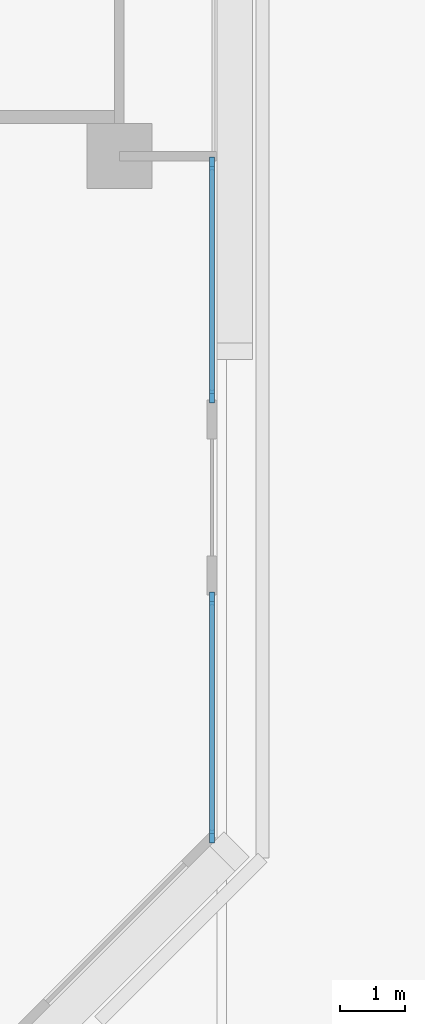
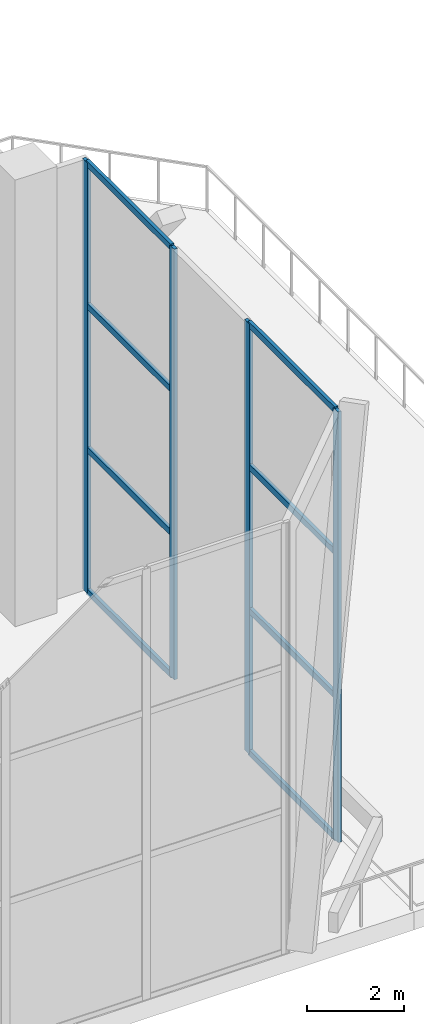
# One storey, part 8 of 21: 12 members, 2 elements without a shape of their own.
"""IFC4 building model written with IfcOpenShell, lengths in metres."""

from ifc_helpers import new_model, si_unit, direction, frame, origin, origin_2d, place, context, subcontext, project, spatial, rectangle, extrude, material, layer, layer_set, material_profile, profile_set, type_object, element, aggregate, save


model = new_model("IFC4")

# Units and contexts
model_context = context("Model", 3, precision=1e-05, world=origin(), true_north=direction((0.0, 1.0)))
body_context = subcontext(model_context, "Body", "Model", "MODEL_VIEW")
ifc_project = project(units=[si_unit("LENGTHUNIT", "METRE"), si_unit("AREAUNIT", "SQUARE_METRE"), si_unit("VOLUMEUNIT", "CUBIC_METRE"), si_unit("PLANEANGLEUNIT", "RADIAN"), si_unit("MASSUNIT", "GRAM", prefix="KILO")], contexts=[model_context])

# Site, building, storey
site_placement = place(None, origin())
site = spatial("IfcSite", under=ifc_project, at=site_placement, CompositionType="ELEMENT")
building_placement = place(site_placement, origin())
building = spatial("IfcBuilding", under=site, at=building_placement, Name="Chenar Terraces", CompositionType="ELEMENT")
storey_placement = place(building_placement, frame((0.0, 0.0, 146.14990234375)))
storey = spatial("IfcBuildingStorey", under=building, at=storey_placement, Name="L34", CompositionType="ELEMENT", Elevation=146.14990234375)

# Curtain wall, members
ifc_material_1 = material(Name="Aluminium framed glazing", Category="aluminium")
ifc_layer = layer(ifc_material_1, 0.14990234375)
ifc_layer_set = layer_set([ifc_layer], Name="Aluminium framed glazing")
curtain_wall_type = type_object("IfcCurtainWallType", Name="Sky garden curtain wall", PredefinedType="NOTDEFINED", material=ifc_layer_set)
placement = place(storey_placement, origin())
curtain_wall_1 = element("IfcCurtainWall", 1, at=placement, inside=storey, type_object=curtain_wall_type, Name="Sky garden curtain wall", PredefinedType="NOTDEFINED")
ifc_material_2 = material(Name="Aluminium", Category="aluminium")
ifc_material_profile_1 = material_profile(ifc_material_2, rectangle(XDim=0.080078125, YDim=0.199951171875, at=origin_2d()), Name="Sky garden mullion 80 x 200")
ifc_profile_set_1 = profile_set([ifc_material_profile_1], Name="Aluminium")
member_type_1 = type_object("IfcMemberType", Name="Sky garden mullion 80 x 200", PredefinedType="MULLION", material=ifc_profile_set_1)
member_1_placement = place(storey_placement, frame((64.425048828125, 1.5400390625, 0.0), z_axis=(0.0, 0.0, 1.0), x_axis=(-1.0, 0.0, 0.0)))
member_1 = element("IfcMember", 2, at=member_1_placement, type_object=member_type_1, Name="CW3-08 mullion 1", PredefinedType="MULLION", context=body_context, shape_type="SweptSolid", body=[
    extrude(rectangle(XDim=0.080078125, YDim=0.199951171875, at=origin_2d()), origin(), (0.0, 0.0, 1.0), 10.85009765625),
])
member_2_placement = place(storey_placement, frame((64.425048828125, 5.197509765625, 0.0), z_axis=(0.0, 0.0, 1.0), x_axis=(-1.0, 0.0, 0.0)))
member_2 = element("IfcMember", 3, at=member_2_placement, type_object=member_type_1, Name="CW3-08 mullion 2", PredefinedType="MULLION", context=body_context, shape_type="SweptSolid", body=[
    extrude(rectangle(XDim=0.080078125, YDim=0.199951171875, at=origin_2d()), origin(), (0.0, 0.0, 1.0), 10.85009765625),
])

curtain_wall_2 = element("IfcCurtainWall", 4, at=placement, inside=storey, type_object=curtain_wall_type, Name="Sky garden curtain wall", PredefinedType="NOTDEFINED")
member_3_placement = place(storey_placement, frame((64.425048828125, 8.302490234375, 0.0), z_axis=(0.0, 0.0, 1.0), x_axis=(-1.0, 0.0, 0.0)))
member_3 = element("IfcMember", 5, at=member_3_placement, type_object=member_type_1, Name="CW3-09 mullion 1", PredefinedType="MULLION", context=body_context, shape_type="SweptSolid", body=[
    extrude(rectangle(XDim=0.080078125, YDim=0.199951171875, at=origin_2d()), origin(), (0.0, 0.0, 1.0), 10.85009765625),
])
member_4_placement = place(storey_placement, frame((64.425048828125, 11.885009765625, 0.0), z_axis=(0.0, 0.0, 1.0), x_axis=(-1.0, 0.0, 0.0)))
member_4 = element("IfcMember", 6, at=member_4_placement, type_object=member_type_1, Name="CW3-09 mullion 2", PredefinedType="MULLION", context=body_context, shape_type="SweptSolid", body=[
    extrude(rectangle(XDim=0.080078125, YDim=0.199951171875, at=origin_2d()), origin(), (0.0, 0.0, 1.0), 10.85009765625),
])

# Member
ifc_material_3 = material(Name="Aluminium", Category="aluminium")
ifc_material_profile_2 = material_profile(ifc_material_3, rectangle(XDim=0.080078125, YDim=0.159912109375, at=origin_2d()), Name="Sky garden transom 80 x 160")
ifc_profile_set_2 = profile_set([ifc_material_profile_2], Name="Aluminium")
member_type_2 = type_object("IfcMemberType", Name="Sky garden transom 80 x 160", PredefinedType="USERDEFINED", material=ifc_profile_set_2)
member_5_placement = place(storey_placement, frame((64.425048828125, 1.580078125, 0.0400390625), z_axis=(0.0, 1.0, 0.0), x_axis=(-1.0, 0.0, 0.0)))
member_5 = element("IfcMember", 7, at=member_5_placement, type_object=member_type_2, Name="CW3-08 transom 1.1", ObjectType="TRANSOM", PredefinedType="USERDEFINED", context=body_context, shape_type="SweptSolid", body=[
    extrude(rectangle(XDim=0.080078125, YDim=0.159912109375, at=origin_2d()), origin(), (0.0, 0.0, 1.0), 3.577392578125),
])

member_6_placement = place(storey_placement, frame((64.425048828125, 1.580078125, 3.6171875), z_axis=(0.0, 1.0, 0.0), x_axis=(-1.0, 0.0, 0.0)))
member_6 = element("IfcMember", 8, at=member_6_placement, type_object=member_type_2, Name="CW3-08 transom 1.2", ObjectType="TRANSOM", PredefinedType="USERDEFINED", context=body_context, shape_type="SweptSolid", body=[
    extrude(rectangle(XDim=0.080078125, YDim=0.159912109375, at=origin_2d()), origin(), (0.0, 0.0, 1.0), 3.577392578125),
])

member_7_placement = place(storey_placement, frame((64.425048828125, 1.580078125, 7.233154296875), z_axis=(0.0, 1.0, 0.0), x_axis=(-1.0, 0.0, 0.0)))
member_7 = element("IfcMember", 9, at=member_7_placement, type_object=member_type_2, Name="CW3-08 transom 1.3", ObjectType="TRANSOM", PredefinedType="USERDEFINED", context=body_context, shape_type="SweptSolid", body=[
    extrude(rectangle(XDim=0.080078125, YDim=0.159912109375, at=origin_2d()), origin(), (0.0, 0.0, 1.0), 3.577392578125),
])

member_8_placement = place(storey_placement, frame((64.425048828125, 1.580078125, 10.81005859375), z_axis=(0.0, 1.0, 0.0), x_axis=(-1.0, 0.0, 0.0)))
member_8 = element("IfcMember", 10, at=member_8_placement, type_object=member_type_2, Name="CW3-08 transom 1.4", ObjectType="TRANSOM", PredefinedType="USERDEFINED", context=body_context, shape_type="SweptSolid", body=[
    extrude(rectangle(XDim=0.080078125, YDim=0.159912109375, at=origin_2d()), origin(), (0.0, 0.0, 1.0), 3.577392578125),
])

aggregate(curtain_wall_1, [member_1, member_2, member_5, member_6, member_7, member_8])

member_9_placement = place(storey_placement, frame((64.425048828125, 8.342529296875, 0.0400390625), z_axis=(0.0, 1.0, 0.0), x_axis=(-1.0, 0.0, 0.0)))
member_9 = element("IfcMember", 11, at=member_9_placement, type_object=member_type_2, Name="CW3-09 transom 1.1", ObjectType="TRANSOM", PredefinedType="USERDEFINED", context=body_context, shape_type="SweptSolid", body=[
    extrude(rectangle(XDim=0.080078125, YDim=0.159912109375, at=origin_2d()), origin(), (0.0, 0.0, 1.0), 3.50244140625),
])

member_10_placement = place(storey_placement, frame((64.425048828125, 8.342529296875, 3.6171875), z_axis=(0.0, 1.0, 0.0), x_axis=(-1.0, 0.0, 0.0)))
member_10 = element("IfcMember", 12, at=member_10_placement, type_object=member_type_2, Name="CW3-09 transom 1.2", ObjectType="TRANSOM", PredefinedType="USERDEFINED", context=body_context, shape_type="SweptSolid", body=[
    extrude(rectangle(XDim=0.080078125, YDim=0.159912109375, at=origin_2d()), origin(), (0.0, 0.0, 1.0), 3.50244140625),
])

member_11_placement = place(storey_placement, frame((64.425048828125, 8.342529296875, 7.233154296875), z_axis=(0.0, 1.0, 0.0), x_axis=(-1.0, 0.0, 0.0)))
member_11 = element("IfcMember", 13, at=member_11_placement, type_object=member_type_2, Name="CW3-09 transom 1.3", ObjectType="TRANSOM", PredefinedType="USERDEFINED", context=body_context, shape_type="SweptSolid", body=[
    extrude(rectangle(XDim=0.080078125, YDim=0.159912109375, at=origin_2d()), origin(), (0.0, 0.0, 1.0), 3.50244140625),
])

member_12_placement = place(storey_placement, frame((64.425048828125, 8.342529296875, 10.81005859375), z_axis=(0.0, 1.0, 0.0), x_axis=(-1.0, 0.0, 0.0)))
member_12 = element("IfcMember", 14, at=member_12_placement, type_object=member_type_2, Name="CW3-09 transom 1.4", ObjectType="TRANSOM", PredefinedType="USERDEFINED", context=body_context, shape_type="SweptSolid", body=[
    extrude(rectangle(XDim=0.080078125, YDim=0.159912109375, at=origin_2d()), origin(), (0.0, 0.0, 1.0), 3.50244140625),
])

aggregate(curtain_wall_2, [member_3, member_4, member_9, member_10, member_11, member_12])

save(model, "model.ifc")
